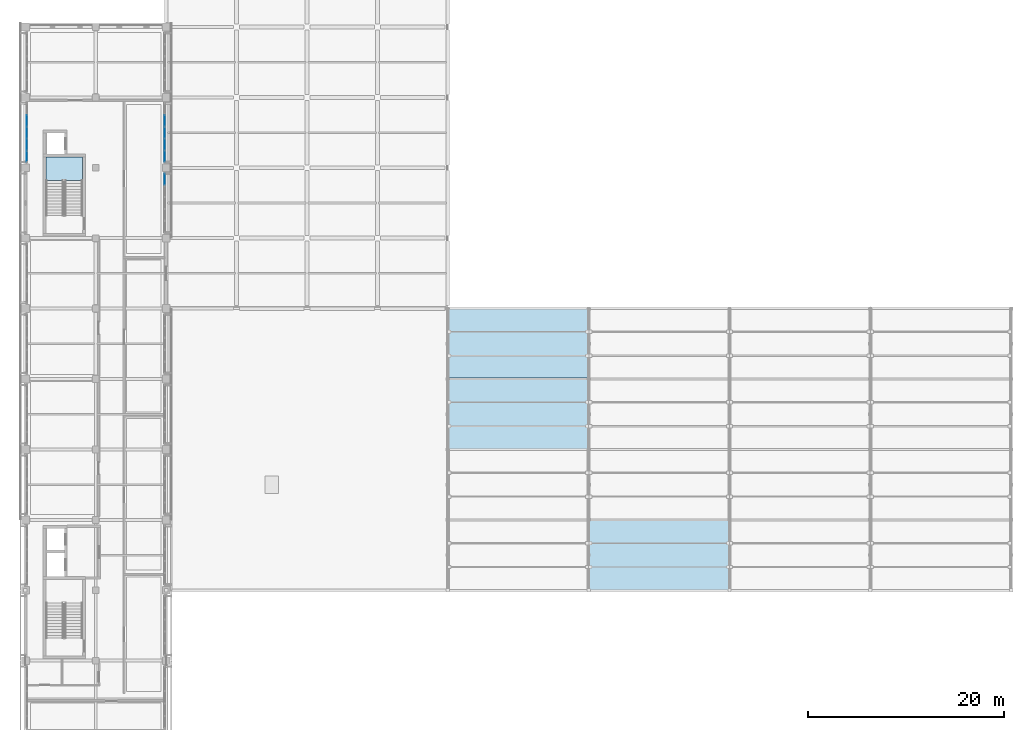
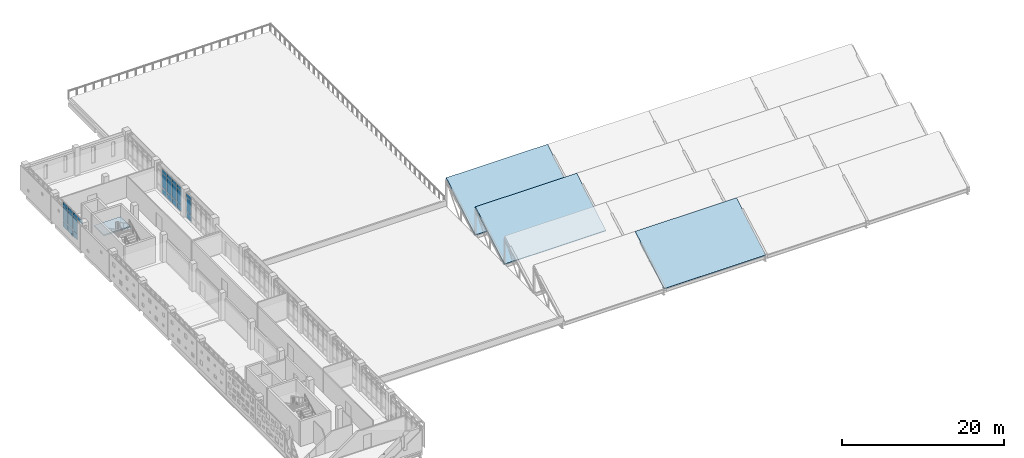
# One storey, part 28 of 51: 25 plates, 4 slabs, 4 elements without a shape of their own.
"""IFC4 building model written with IfcOpenShell, lengths in metres."""

from ifc_helpers import new_model, si_unit, direction, frame, origin, origin_2d, place, context, subcontext, project, spatial, polyline, rectangle, outline, extrude, material, layer, layer_set, type_object, element, aggregate, save


model = new_model("IFC4")

# Units and contexts
model_context = context("Model", 3, precision=1e-05, world=origin(), true_north=direction((0.0, 1.0)))
body_context = subcontext(model_context, "Body", "Model", "MODEL_VIEW")
ifc_project = project(units=[si_unit("LENGTHUNIT", "METRE"), si_unit("AREAUNIT", "SQUARE_METRE"), si_unit("VOLUMEUNIT", "CUBIC_METRE"), si_unit("PLANEANGLEUNIT", "RADIAN"), si_unit("MASSUNIT", "GRAM", prefix="KILO")], contexts=[model_context])

# Site, building, storey
site_placement = place(None, origin())
site = spatial("IfcSite", under=ifc_project, at=site_placement, CompositionType="ELEMENT")
building_placement = place(site_placement, origin())
building = spatial("IfcBuilding", under=site, at=building_placement, Name="Valkovuoma Quantum and Materials Research Institute", CompositionType="ELEMENT")
storey_placement = place(building_placement, frame((0.0, 0.0, 17.280029296875)))
storey = spatial("IfcBuildingStorey", under=building, at=storey_placement, Name="L04", CompositionType="ELEMENT", Elevation=17.280029296875)

# Curtain wall, plates
ifc_material_1 = material(Name="Thermally broken aluminium and triple low-E glazing", Category="aluminium")
ifc_layer_1 = layer(ifc_material_1, 0.219970703125)
ifc_layer_set_1 = layer_set([ifc_layer_1], Name="Thermally broken aluminium and triple low-E glazing")
curtain_wall_type = type_object("IfcCurtainWallType", Name="CW-CW-01", PredefinedType="NOTDEFINED", material=ifc_layer_set_1)
curtain_wall_1_placement = place(storey_placement, origin())
curtain_wall_1 = element("IfcCurtainWall", 1, at=curtain_wall_1_placement, inside=storey, type_object=curtain_wall_type, Name="L04 curtain wall 051", PredefinedType="NOTDEFINED")
ifc_material_2 = material(Name="Triple low-E argon insulating glass", Category="glass")
ifc_layer_2 = layer(ifc_material_2, 0.035888671875)
ifc_layer_set_2 = layer_set([ifc_layer_2], Name="Triple low-E argon insulating glass")
plate_type_1 = type_object("IfcPlateType", Name="CWPanel-CWP-01", PredefinedType="CURTAIN_PANEL", material=ifc_layer_set_2)
plate_1_placement = place(storey_placement, frame((0.14990234375, 80.3818359375, 3.1923828125), z_axis=(0.0, 0.0, 1.0), x_axis=(0.0, 1.0, 0.0)))
plate_1 = element("IfcPlate", 2, at=plate_1_placement, type_object=plate_type_1, Name="CW-01 panel 1.3", PredefinedType="CURTAIN_PANEL", context=body_context, shape_type="SweptSolid", body=[
    extrude(rectangle(XDim=1.11962890625, YDim=0.035888671875, at=origin_2d()), origin(), (0.0, 0.0, 1.0), 0.552490234375),
])
plate_2_placement = place(storey_placement, frame((0.14990234375, 81.582763671875, 0.06494140625), z_axis=(0.0, 0.0, 1.0), x_axis=(0.0, 1.0, 0.0)))
plate_2 = element("IfcPlate", 3, at=plate_2_placement, type_object=plate_type_1, Name="CW-01 panel 2.1", PredefinedType="CURTAIN_PANEL", context=body_context, shape_type="SweptSolid", body=[
    extrude(rectangle(XDim=1.152099609375, YDim=0.035888671875, at=origin_2d()), origin(), (0.0, 0.0, 1.0), 0.8525390625),
])
plate_3_placement = place(storey_placement, frame((0.14990234375, 81.582763671875, 0.982421875), z_axis=(0.0, 0.0, 1.0), x_axis=(0.0, 1.0, 0.0)))
plate_3 = element("IfcPlate", 4, at=plate_3_placement, type_object=plate_type_1, Name="CW-01 panel 2.2", PredefinedType="CURTAIN_PANEL", context=body_context, shape_type="SweptSolid", body=[
    extrude(rectangle(XDim=1.152099609375, YDim=0.035888671875, at=origin_2d()), origin(), (0.0, 0.0, 1.0), 2.14501953125),
])
plate_4_placement = place(storey_placement, frame((0.14990234375, 81.582763671875, 3.1923828125), z_axis=(0.0, 0.0, 1.0), x_axis=(0.0, 1.0, 0.0)))
plate_4 = element("IfcPlate", 5, at=plate_4_placement, type_object=plate_type_1, Name="CW-01 panel 2.3", PredefinedType="CURTAIN_PANEL", context=body_context, shape_type="SweptSolid", body=[
    extrude(rectangle(XDim=1.152099609375, YDim=0.035888671875, at=origin_2d()), origin(), (0.0, 0.0, 1.0), 0.552490234375),
])
plate_5_placement = place(storey_placement, frame((0.14990234375, 82.800048828125, 0.06494140625), z_axis=(0.0, 0.0, 1.0), x_axis=(0.0, 1.0, 0.0)))
plate_5 = element("IfcPlate", 6, at=plate_5_placement, type_object=plate_type_1, Name="CW-01 panel 3.1", PredefinedType="CURTAIN_PANEL", context=body_context, shape_type="SweptSolid", body=[
    extrude(rectangle(XDim=1.152099609375, YDim=0.035888671875, at=origin_2d()), origin(), (0.0, 0.0, 1.0), 0.8525390625),
])
plate_6_placement = place(storey_placement, frame((0.14990234375, 82.800048828125, 0.982421875), z_axis=(0.0, 0.0, 1.0), x_axis=(0.0, 1.0, 0.0)))
plate_6 = element("IfcPlate", 7, at=plate_6_placement, type_object=plate_type_1, Name="CW-01 panel 3.2", PredefinedType="CURTAIN_PANEL", context=body_context, shape_type="SweptSolid", body=[
    extrude(rectangle(XDim=1.152099609375, YDim=0.035888671875, at=origin_2d()), origin(), (0.0, 0.0, 1.0), 2.14501953125),
])
plate_7_placement = place(storey_placement, frame((0.14990234375, 82.800048828125, 3.1923828125), z_axis=(0.0, 0.0, 1.0), x_axis=(0.0, 1.0, 0.0)))
plate_7 = element("IfcPlate", 8, at=plate_7_placement, type_object=plate_type_1, Name="CW-01 panel 3.3", PredefinedType="CURTAIN_PANEL", context=body_context, shape_type="SweptSolid", body=[
    extrude(rectangle(XDim=1.152099609375, YDim=0.035888671875, at=origin_2d()), origin(), (0.0, 0.0, 1.0), 0.552490234375),
])
plate_8_placement = place(storey_placement, frame((0.14990234375, 84.01708984375, 0.06494140625), z_axis=(0.0, 0.0, 1.0), x_axis=(0.0, 1.0, 0.0)))
plate_8 = element("IfcPlate", 9, at=plate_8_placement, type_object=plate_type_1, Name="CW-01 panel 4.1", PredefinedType="CURTAIN_PANEL", context=body_context, shape_type="SweptSolid", body=[
    extrude(rectangle(XDim=1.152099609375, YDim=0.035888671875, at=origin_2d()), origin(), (0.0, 0.0, 1.0), 0.8525390625),
])
plate_9_placement = place(storey_placement, frame((0.14990234375, 84.01708984375, 0.982421875), z_axis=(0.0, 0.0, 1.0), x_axis=(0.0, 1.0, 0.0)))
plate_9 = element("IfcPlate", 10, at=plate_9_placement, type_object=plate_type_1, Name="CW-01 panel 4.2", PredefinedType="CURTAIN_PANEL", context=body_context, shape_type="SweptSolid", body=[
    extrude(rectangle(XDim=1.152099609375, YDim=0.035888671875, at=origin_2d()), origin(), (0.0, 0.0, 1.0), 2.14501953125),
])
plate_10_placement = place(storey_placement, frame((0.14990234375, 84.01708984375, 3.1923828125), z_axis=(0.0, 0.0, 1.0), x_axis=(0.0, 1.0, 0.0)))
plate_10 = element("IfcPlate", 11, at=plate_10_placement, type_object=plate_type_1, Name="CW-01 panel 4.3", PredefinedType="CURTAIN_PANEL", context=body_context, shape_type="SweptSolid", body=[
    extrude(rectangle(XDim=1.152099609375, YDim=0.035888671875, at=origin_2d()), origin(), (0.0, 0.0, 1.0), 0.552490234375),
])
aggregate(curtain_wall_1, [plate_1, plate_2, plate_3, plate_4, plate_5, plate_6, plate_7, plate_8, plate_9, plate_10])

curtain_wall_2_placement = place(storey_placement, origin())
curtain_wall_2 = element("IfcCurtainWall", 12, at=curtain_wall_2_placement, inside=storey, type_object=curtain_wall_type, Name="L04 curtain wall 050", PredefinedType="NOTDEFINED")
ifc_material_3 = material(Name="Triple low-E argon insulating glass", Category="glass")
ifc_layer_3 = layer(ifc_material_3, 0.0419921875)
ifc_layer_set_3 = layer_set([ifc_layer_3], Name="Triple low-E argon insulating glass")
plate_type_2 = type_object("IfcPlateType", Name="CWPanel-CWP-02", PredefinedType="CURTAIN_PANEL", material=ifc_layer_set_3)
plate_11_placement = place(storey_placement, frame((14.25, 78.01806640625, 0.06494140625), z_axis=(0.0, 0.0, 1.0), x_axis=(0.0, 1.0, 0.0)))
plate_11 = element("IfcPlate", 13, at=plate_11_placement, type_object=plate_type_2, Name="CW-01 panel 5.1", PredefinedType="CURTAIN_PANEL", context=body_context, shape_type="SweptSolid", body=[
    extrude(rectangle(XDim=1.11962890625, YDim=0.0419921875, at=origin_2d()), origin(), (0.0, 0.0, 1.0), 0.8525390625),
])
plate_12_placement = place(storey_placement, frame((14.25, 78.01806640625, 0.982421875), z_axis=(0.0, 0.0, 1.0), x_axis=(0.0, 1.0, 0.0)))
plate_12 = element("IfcPlate", 14, at=plate_12_placement, type_object=plate_type_2, Name="CW-01 panel 5.2", PredefinedType="CURTAIN_PANEL", context=body_context, shape_type="SweptSolid", body=[
    extrude(rectangle(XDim=1.11962890625, YDim=0.0419921875, at=origin_2d()), origin(), (0.0, 0.0, 1.0), 2.14501953125),
])
plate_13_placement = place(storey_placement, frame((14.25, 78.01806640625, 3.1923828125), z_axis=(0.0, 0.0, 1.0), x_axis=(0.0, 1.0, 0.0)))
plate_13 = element("IfcPlate", 15, at=plate_13_placement, type_object=plate_type_2, Name="CW-01 panel 5.3", PredefinedType="CURTAIN_PANEL", context=body_context, shape_type="SweptSolid", body=[
    extrude(rectangle(XDim=1.11962890625, YDim=0.0419921875, at=origin_2d()), origin(), (0.0, 0.0, 1.0), 0.552490234375),
])
aggregate(curtain_wall_2, [plate_11, plate_12, plate_13])

curtain_wall_3_placement = place(storey_placement, origin())
curtain_wall_3 = element("IfcCurtainWall", 16, at=curtain_wall_3_placement, inside=storey, type_object=curtain_wall_type, Name="L04 curtain wall 052", PredefinedType="NOTDEFINED")
plate_14_placement = place(storey_placement, frame((14.25, 80.3818359375, 0.06494140625), z_axis=(0.0, 0.0, 1.0), x_axis=(0.0, 1.0, 0.0)))
plate_14 = element("IfcPlate", 17, at=plate_14_placement, type_object=plate_type_2, Name="CW-01 panel 1.1", PredefinedType="CURTAIN_PANEL", context=body_context, shape_type="SweptSolid", body=[
    extrude(rectangle(XDim=1.11962890625, YDim=0.0419921875, at=origin_2d()), origin(), (0.0, 0.0, 1.0), 0.8525390625),
])
plate_15_placement = place(storey_placement, frame((14.25, 80.3818359375, 0.982421875), z_axis=(0.0, 0.0, 1.0), x_axis=(0.0, 1.0, 0.0)))
plate_15 = element("IfcPlate", 18, at=plate_15_placement, type_object=plate_type_2, Name="CW-01 panel 1.2", PredefinedType="CURTAIN_PANEL", context=body_context, shape_type="SweptSolid", body=[
    extrude(rectangle(XDim=1.11962890625, YDim=0.0419921875, at=origin_2d()), origin(), (0.0, 0.0, 1.0), 2.14501953125),
])
plate_16_placement = place(storey_placement, frame((14.25, 80.3818359375, 3.1923828125), z_axis=(0.0, 0.0, 1.0), x_axis=(0.0, 1.0, 0.0)))
plate_16 = element("IfcPlate", 19, at=plate_16_placement, type_object=plate_type_2, Name="CW-01 panel 1.3", PredefinedType="CURTAIN_PANEL", context=body_context, shape_type="SweptSolid", body=[
    extrude(rectangle(XDim=1.11962890625, YDim=0.0419921875, at=origin_2d()), origin(), (0.0, 0.0, 1.0), 0.552490234375),
])
plate_17_placement = place(storey_placement, frame((14.25, 81.582763671875, 0.06494140625), z_axis=(0.0, 0.0, 1.0), x_axis=(0.0, 1.0, 0.0)))
plate_17 = element("IfcPlate", 20, at=plate_17_placement, type_object=plate_type_2, Name="CW-01 panel 2.1", PredefinedType="CURTAIN_PANEL", context=body_context, shape_type="SweptSolid", body=[
    extrude(rectangle(XDim=1.152099609375, YDim=0.0419921875, at=origin_2d()), origin(), (0.0, 0.0, 1.0), 0.8525390625),
])
plate_18_placement = place(storey_placement, frame((14.25, 81.582763671875, 0.982421875), z_axis=(0.0, 0.0, 1.0), x_axis=(0.0, 1.0, 0.0)))
plate_18 = element("IfcPlate", 21, at=plate_18_placement, type_object=plate_type_2, Name="CW-01 panel 2.2", PredefinedType="CURTAIN_PANEL", context=body_context, shape_type="SweptSolid", body=[
    extrude(rectangle(XDim=1.152099609375, YDim=0.0419921875, at=origin_2d()), origin(), (0.0, 0.0, 1.0), 2.14501953125),
])
plate_19_placement = place(storey_placement, frame((14.25, 81.582763671875, 3.1923828125), z_axis=(0.0, 0.0, 1.0), x_axis=(0.0, 1.0, 0.0)))
plate_19 = element("IfcPlate", 22, at=plate_19_placement, type_object=plate_type_2, Name="CW-01 panel 2.3", PredefinedType="CURTAIN_PANEL", context=body_context, shape_type="SweptSolid", body=[
    extrude(rectangle(XDim=1.152099609375, YDim=0.0419921875, at=origin_2d()), origin(), (0.0, 0.0, 1.0), 0.552490234375),
])
plate_20_placement = place(storey_placement, frame((14.25, 82.800048828125, 0.06494140625), z_axis=(0.0, 0.0, 1.0), x_axis=(0.0, 1.0, 0.0)))
plate_20 = element("IfcPlate", 23, at=plate_20_placement, type_object=plate_type_2, Name="CW-01 panel 3.1", PredefinedType="CURTAIN_PANEL", context=body_context, shape_type="SweptSolid", body=[
    extrude(rectangle(XDim=1.152099609375, YDim=0.0419921875, at=origin_2d()), origin(), (0.0, 0.0, 1.0), 0.8525390625),
])
plate_21_placement = place(storey_placement, frame((14.25, 82.800048828125, 0.982421875), z_axis=(0.0, 0.0, 1.0), x_axis=(0.0, 1.0, 0.0)))
plate_21 = element("IfcPlate", 24, at=plate_21_placement, type_object=plate_type_2, Name="CW-01 panel 3.2", PredefinedType="CURTAIN_PANEL", context=body_context, shape_type="SweptSolid", body=[
    extrude(rectangle(XDim=1.152099609375, YDim=0.0419921875, at=origin_2d()), origin(), (0.0, 0.0, 1.0), 2.14501953125),
])
plate_22_placement = place(storey_placement, frame((14.25, 82.800048828125, 3.1923828125), z_axis=(0.0, 0.0, 1.0), x_axis=(0.0, 1.0, 0.0)))
plate_22 = element("IfcPlate", 25, at=plate_22_placement, type_object=plate_type_2, Name="CW-01 panel 3.3", PredefinedType="CURTAIN_PANEL", context=body_context, shape_type="SweptSolid", body=[
    extrude(rectangle(XDim=1.152099609375, YDim=0.0419921875, at=origin_2d()), origin(), (0.0, 0.0, 1.0), 0.552490234375),
])
plate_23_placement = place(storey_placement, frame((14.25, 84.01708984375, 0.06494140625), z_axis=(0.0, 0.0, 1.0), x_axis=(0.0, 1.0, 0.0)))
plate_23 = element("IfcPlate", 26, at=plate_23_placement, type_object=plate_type_2, Name="CW-01 panel 4.1", PredefinedType="CURTAIN_PANEL", context=body_context, shape_type="SweptSolid", body=[
    extrude(rectangle(XDim=1.152099609375, YDim=0.0419921875, at=origin_2d()), origin(), (0.0, 0.0, 1.0), 0.8525390625),
])
plate_24_placement = place(storey_placement, frame((14.25, 84.01708984375, 0.982421875), z_axis=(0.0, 0.0, 1.0), x_axis=(0.0, 1.0, 0.0)))
plate_24 = element("IfcPlate", 27, at=plate_24_placement, type_object=plate_type_2, Name="CW-01 panel 4.2", PredefinedType="CURTAIN_PANEL", context=body_context, shape_type="SweptSolid", body=[
    extrude(rectangle(XDim=1.152099609375, YDim=0.0419921875, at=origin_2d()), origin(), (0.0, 0.0, 1.0), 2.14501953125),
])
plate_25_placement = place(storey_placement, frame((14.25, 84.01708984375, 3.1923828125), z_axis=(0.0, 0.0, 1.0), x_axis=(0.0, 1.0, 0.0)))
plate_25 = element("IfcPlate", 28, at=plate_25_placement, type_object=plate_type_2, Name="CW-01 panel 4.3", PredefinedType="CURTAIN_PANEL", context=body_context, shape_type="SweptSolid", body=[
    extrude(rectangle(XDim=1.152099609375, YDim=0.0419921875, at=origin_2d()), origin(), (0.0, 0.0, 1.0), 0.552490234375),
])
aggregate(curtain_wall_3, [plate_14, plate_15, plate_16, plate_17, plate_18, plate_19, plate_20, plate_21, plate_22, plate_23, plate_24, plate_25])

# Stair, slab
ifc_material_4 = material(Name="Concrete C40/50", Category="concrete")
stair_type = type_object("IfcStairType", Name="Stair-ST-COR", PredefinedType="HALF_TURN_STAIR", material=ifc_material_4)
stair_placement = place(storey_placement, origin())
stair = element("IfcStair", 29, at=stair_placement, inside=storey, type_object=stair_type, Name="L04 Exit Stair ST-2", PredefinedType="HALF_TURN_STAIR")
ifc_material_5 = material(Name="Concrete C40/50", Category="concrete")
ifc_layer_4 = layer(ifc_material_5, 0.199951171875)
ifc_layer_set_4 = layer_set([ifc_layer_4], Name="Concrete C40/50")
slab_type_1 = type_object("IfcSlabType", Name="Slab-SL-LND200", PredefinedType="LANDING", material=ifc_layer_set_4)
slab_1_placement = place(storey_placement, frame((0.0, 0.0, 1.8798828125)))
slab_1 = element("IfcSlab", 30, at=slab_1_placement, type_object=slab_type_1, Name="ST-2 landing 1", PredefinedType="LANDING", context=body_context, shape_type="SweptSolid", body=[
    extrude(outline(polyline([(5.85009765625, 77.89990234375), (5.85009765625, 80.300048828125), (2.10009765625, 80.300048828125), (2.10009765625, 77.89990234375), (5.85009765625, 77.89990234375)])), origin(), (0.0, 0.0, 1.0), 0.2001953125),
])
aggregate(stair, [slab_1])

# Slabs
ifc_material_6 = material(Name="Concrete C40/50", Category="concrete")
ifc_layer_5 = layer(ifc_material_6, 0.219970703125)
ifc_layer_set_5 = layer_set([ifc_layer_5], Name="Concrete C40/50")
slab_type_2 = type_object("IfcSlabType", Name="Slab-SL-RF220", PredefinedType="ROOF", material=ifc_layer_set_5)
slab_2_placement = place(storey_placement, frame((57.60009765625, 36.0, 0.0), z_axis=(0.0, -0.507440168832, 0.861686993668), x_axis=(1.0, 0.0, 0.0)))
element("IfcSlab", 31, at=slab_2_placement, inside=storey, type_object=slab_type_2, Name="L04 VOL2 sawtooth sloped roof 1.2", PredefinedType="ROOF", context=body_context, shape_type="SweptSolid", body=[
    extrude(outline(polyline([(0.0, 0.0), (14.39990234375, 0.0), (14.39990234375, 8.355645640223115), (0.0, 8.355645640223115), (0.0, 0.0)])), origin(), (0.0, 0.0, -1.0), 0.219970703125),
])
slab_3_placement = place(storey_placement, frame((43.199951171875, 50.39990234375, 0.0), z_axis=(0.0, -0.507427393112, 0.861694517053), x_axis=(1.0, 0.0, 0.0)))
element("IfcSlab", 32, at=slab_3_placement, inside=storey, type_object=slab_type_2, Name="L04 VOL2 sawtooth sloped roof 3.1", PredefinedType="ROOF", context=body_context, shape_type="SweptSolid", body=[
    extrude(outline(polyline([(0.0, 0.0), (14.400146484375, 0.0), (14.400146484375, 8.355856013942697), (0.0, 8.355856013942697), (0.0, 0.0)])), origin(), (0.0, 0.0, -1.0), 0.219970703125),
])
slab_4_placement = place(storey_placement, frame((43.199951171875, 57.60009765625, 0.0), z_axis=(0.0, -0.507440168832, 0.861686993668), x_axis=(1.0, 0.0, 0.0)))
element("IfcSlab", 33, at=slab_4_placement, inside=storey, type_object=slab_type_2, Name="L04 VOL2 sawtooth sloped roof 4.1", PredefinedType="ROOF", context=body_context, shape_type="SweptSolid", body=[
    extrude(outline(polyline([(0.0, 0.0), (14.400146484375, 0.0), (14.400146484375, 8.355645640223115), (0.0, 8.355645640223115), (0.0, 0.0)])), origin(), (0.0, 0.0, -1.0), 0.219970703125),
])

save(model, "model.ifc")
